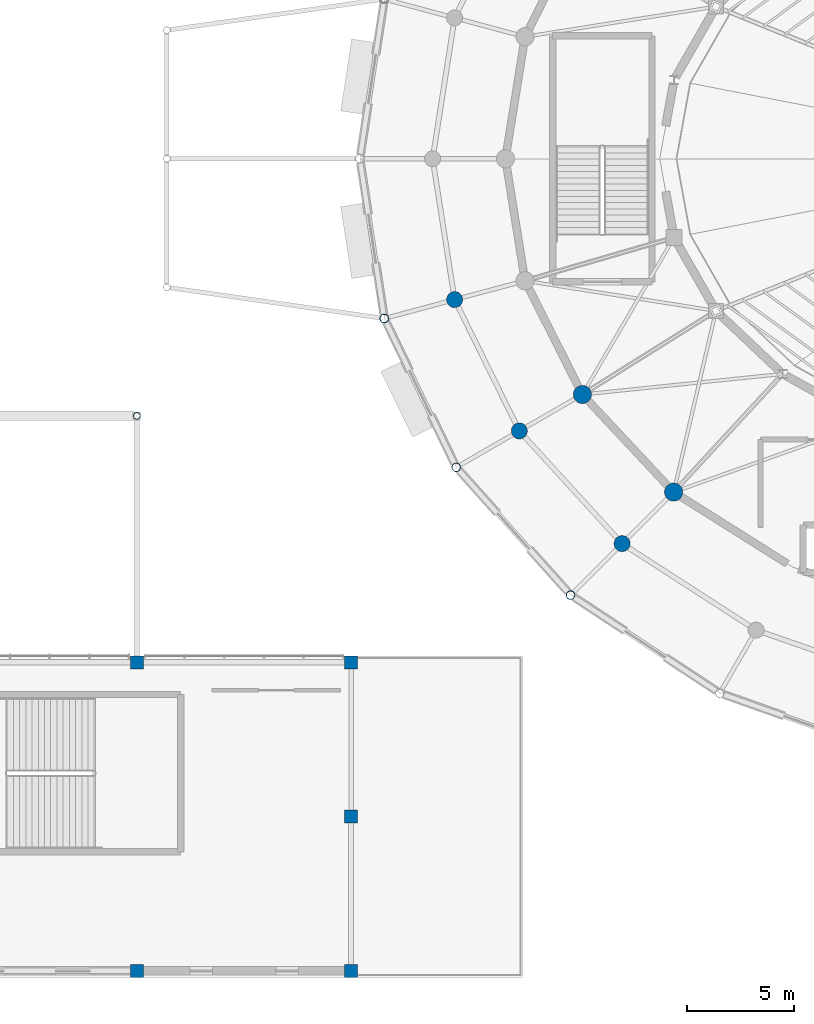
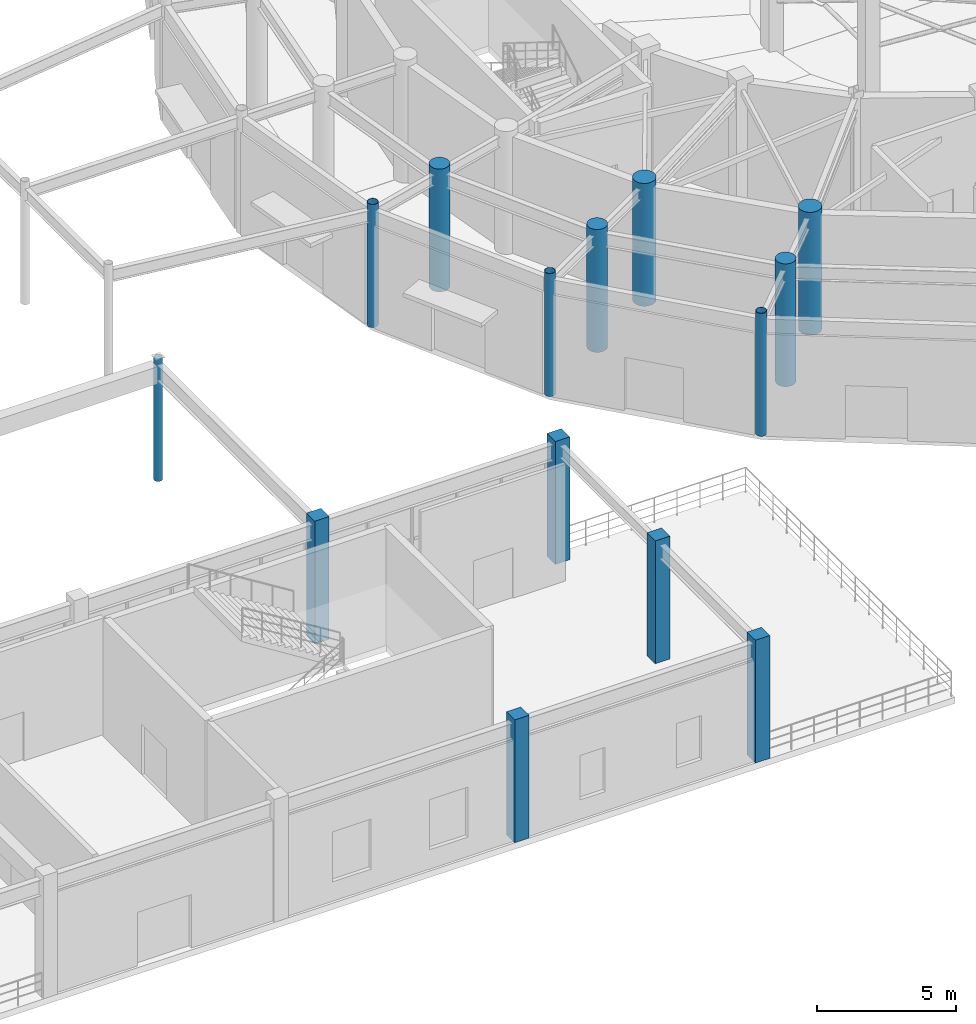
# One storey, part 5 of 93: 14 columns.
"""IFC4 building model written with IfcOpenShell, lengths in metres."""

import ifcopenshell
import ifcopenshell.guid

model = None  # the IFC model being written
_history = None  # IfcOwnerHistory: only IFC2X3 demands one
_inside = {}  # id of a spatial element -> (the spatial element, [elements in it])
_under = {}  # id of a project, library or spatial element -> (it, [spatial elements below it])
_declared = {}  # id of a project -> (the project, [libraries it declares])
_typed = {}  # id of a type object -> (the type object, [elements of that type])
_made_of = {}  # id of a material, layer set ... -> (it, [elements and type objects made of it])


def new_model(schema):
    """Start an empty IFC model of exactly this schema.

    Asked for "IFC4X3", IfcOpenShell would pick the latest addendum, in which some entities
    have other attributes; the version numbers below select the first issue.
    IFC2X3 requires an IfcOwnerHistory on every rooted entity: one is made here for all.
    """
    global model, _history
    if schema == "IFC4X3":
        model = ifcopenshell.file(schema_version=(4, 3, 0, 0))
    else:
        model = ifcopenshell.file(schema=schema)
    _inside.clear()
    _under.clear()
    _declared.clear()
    _typed.clear()
    _made_of.clear()
    _history = None
    if model.schema == "IFC2X3":
        org = make("IfcOrganization", Name="unknown")
        user = make(
            "IfcPersonAndOrganization",
            ThePerson=make("IfcPerson", FamilyName="unknown"),
            TheOrganization=org,
        )
        app = make(
            "IfcApplication",
            ApplicationDeveloper=org,
            Version="unknown",
            ApplicationFullName="unknown",
            ApplicationIdentifier="unknown",
        )
        _history = make(
            "IfcOwnerHistory",
            OwningUser=user,
            OwningApplication=app,
            ChangeAction="ADDED",
            CreationDate=0,
        )
    return model


def make(cls, **values):
    """One entity of the class cls with the attributes given. An attribute that is None is left unset."""
    return model.create_entity(
        cls, **{name: value for name, value in values.items() if value is not None}
    )


def rooted(cls, **values):
    """An entity with a GlobalId (a new one), such as an element, a storey or a relation."""
    return make(cls, GlobalId=ifcopenshell.guid.new(), OwnerHistory=_history, **values)


def si_unit(unit_type, name, prefix=None):
    """IfcSIUnit, for example si_unit("LENGTHUNIT", "METRE", prefix="MILLI")."""
    return make("IfcSIUnit", UnitType=unit_type, Prefix=prefix, Name=name)


def assignment(units):
    """IfcUnitAssignment: the units of a project."""
    return None if units is None else make("IfcUnitAssignment", Units=units)


def point(xyz):
    """IfcCartesianPoint."""
    return None if xyz is None else make("IfcCartesianPoint", Coordinates=xyz)


def direction(xyz):
    """IfcDirection."""
    return None if xyz is None else make("IfcDirection", DirectionRatios=xyz)


def frame(location, z_axis=None, x_axis=None):
    """IfcAxis2Placement3D, a coordinate frame: its origin and axes. An axis left out is left unset."""
    return make(
        "IfcAxis2Placement3D",
        Location=point(location),
        Axis=direction(z_axis),
        RefDirection=direction(x_axis),
    )


def frame_2d(location, x_axis=None):
    """IfcAxis2Placement2D, a coordinate frame in the plane: its origin and x axis."""
    return make(
        "IfcAxis2Placement2D", Location=point(location), RefDirection=direction(x_axis)
    )


def origin():
    """The frame at (0, 0, 0) with its axes left unset."""
    return frame((0.0, 0.0, 0.0))


def origin_2d():
    """The frame at (0, 0) in the plane with its x axis left unset."""
    return frame_2d((0.0, 0.0))


def place(relative_to, where):
    """IfcLocalPlacement: puts the frame where relative to a parent placement (None: the world)."""
    return make(
        "IfcLocalPlacement", PlacementRelTo=relative_to, RelativePlacement=where
    )


def context(
    kind, dimensions, precision=None, world=None, true_north=None, identifier=None
):
    """IfcGeometricRepresentationContext, for example the 3D "Model" context."""
    return make(
        "IfcGeometricRepresentationContext",
        ContextIdentifier=identifier,
        ContextType=kind,
        CoordinateSpaceDimension=dimensions,
        Precision=precision,
        WorldCoordinateSystem=world,
        TrueNorth=true_north,
    )


def subcontext(parent, identifier, kind, view, scale=None):
    """IfcGeometricRepresentationSubContext, for example "Body" below "Model"."""
    return make(
        "IfcGeometricRepresentationSubContext",
        ContextIdentifier=identifier,
        ContextType=kind,
        ParentContext=parent,
        TargetScale=scale,
        TargetView=view,
    )


def project(units=None, contexts=None):
    """IfcProject with its units and contexts."""
    return rooted(
        "IfcProject",
        Name="project",
        RepresentationContexts=contexts,
        UnitsInContext=assignment(units),
    )


def spatial(cls, under=None, at=None, **own):
    """A site, building, storey or space (cls), placed at a placement, below another one or the project."""
    s = rooted(cls, ObjectPlacement=at, **own)
    if under is not None:
        _under.setdefault(under.id(), (under, []))[1].append(s)
    return s


def profile(cls, at=None, kind="AREA", **sizes):
    """A parametric profile (cls). Its sizes go by their IFC names, for example OverallWidth=200.0."""
    return make(cls, ProfileType=kind, Position=at, **sizes)


def rectangle(**sizes):
    """IfcRectangleProfileDef."""
    return profile("IfcRectangleProfileDef", **sizes)


def circle(**sizes):
    """IfcCircleProfileDef."""
    return profile("IfcCircleProfileDef", **sizes)


def hollow_circle(**sizes):
    """IfcCircleHollowProfileDef."""
    return profile("IfcCircleHollowProfileDef", **sizes)


def extrude(swept, where, along, depth):
    """IfcExtrudedAreaSolid: the profile swept, set in the frame where, extruded along a direction by depth."""
    return make(
        "IfcExtrudedAreaSolid",
        SweptArea=swept,
        Position=where,
        ExtrudedDirection=direction(along),
        Depth=depth,
    )


def shape(context_of_items, identifier, shape_type, items):
    """IfcShapeRepresentation: the items that make up one representation, for example the "Body"."""
    return make(
        "IfcShapeRepresentation",
        ContextOfItems=context_of_items,
        RepresentationIdentifier=identifier,
        RepresentationType=shape_type,
        Items=items,
    )


def material(Name=None, Category=None):
    """IfcMaterial."""
    return make("IfcMaterial", Name=Name, Category=Category)


def material_profile(
    of_material, cross_section, Name=None, Category=None, Priority=None
):
    """IfcMaterialProfile: a cross section and its material."""
    return make(
        "IfcMaterialProfile",
        Name=Name,
        Material=of_material,
        Profile=cross_section,
        Priority=Priority,
        Category=Category,
    )


def profile_set(profiles, Name=None, composite=None):
    """IfcMaterialProfileSet."""
    return make(
        "IfcMaterialProfileSet",
        Name=Name,
        MaterialProfiles=profiles,
        CompositeProfile=composite,
    )


def made_of(thing, what):
    """Note that an element or type object is made of a material, layer set ...; save() writes the relation."""
    if what is not None:
        _made_of.setdefault(what.id(), (what, []))[1].append(thing)
    return thing


def type_object(cls, material=None, **own):
    """A type object (cls), such as IfcWallType, which elements share."""
    return made_of(rooted(cls, **own), material)


def element(
    cls,
    number,
    at=None,
    inside=None,
    cuts=None,
    type_object=None,
    material=None,
    context=None,
    identifier="Body",
    shape_type=None,
    held_by="IfcProductDefinitionShape",
    body=None,
    shapes=None,
    **own,
):
    """One element of the class cls, such as IfcWall. Its Tag is "e" and its number.

    at: its placement. inside: the storey or other place that contains it. cuts: it is an
    opening in that element (IfcRelVoidsElement). A single representation is given by context,
    identifier, shape_type and body (its items); several are given by shapes. held_by: the class
    of the entity that holds the representations. save() writes the other relations.
    """
    e = rooted(cls, Tag="e%d" % number, ObjectPlacement=at, **own)
    if body is not None:
        shapes = [shape(context, identifier, shape_type, body)]
    if shapes is not None:
        e.Representation = make(held_by, Representations=shapes)
    if inside is not None:
        _inside.setdefault(inside.id(), (inside, []))[1].append(e)
    if cuts is not None:
        rooted(
            "IfcRelVoidsElement", RelatingBuildingElement=cuts, RelatedOpeningElement=e
        )
    if type_object is not None:
        _typed.setdefault(type_object.id(), (type_object, []))[1].append(e)
    return made_of(e, material)


def aggregate(whole, parts):
    """IfcRelAggregates: a whole, such as a stair, and the parts it consists of."""
    return rooted("IfcRelAggregates", RelatingObject=whole, RelatedObjects=parts)


def save(model, path):
    """Write the relations noted so far, then the file.

    IfcRelAggregates (storeys below a building ...), IfcRelContainedInSpatialStructure (elements
    in a storey), IfcRelDefinesByType, IfcRelAssociatesMaterial and IfcRelDeclares: one each for
    every whole, place, type object, material and project.
    """
    for whole, parts in _under.values():
        aggregate(whole, parts)
    for where, things in _inside.values():
        rooted(
            "IfcRelContainedInSpatialStructure",
            RelatedElements=things,
            RelatingStructure=where,
        )
    for kind, things in _typed.values():
        rooted("IfcRelDefinesByType", RelatedObjects=things, RelatingType=kind)
    for what, things in _made_of.values():
        rooted("IfcRelAssociatesMaterial", RelatedObjects=things, RelatingMaterial=what)
    for by, libraries in _declared.values():
        rooted("IfcRelDeclares", RelatingContext=by, RelatedDefinitions=libraries)
    model.write(path)


model = new_model("IFC4")

# Units and contexts
model_context = context("Model", 3, precision=1e-05, world=origin(), true_north=direction((0.0, 1.0)))
body_context = subcontext(model_context, "Body", "Model", "MODEL_VIEW")
ifc_project = project(units=[si_unit("LENGTHUNIT", "METRE"), si_unit("AREAUNIT", "SQUARE_METRE"), si_unit("VOLUMEUNIT", "CUBIC_METRE"), si_unit("PLANEANGLEUNIT", "RADIAN"), si_unit("MASSUNIT", "GRAM", prefix="KILO")], contexts=[model_context])

# Site, building, storey
site_placement = place(None, origin())
site = spatial("IfcSite", under=ifc_project, at=site_placement, CompositionType="ELEMENT")
building_placement = place(site_placement, origin())
building = spatial("IfcBuilding", under=site, at=building_placement, Name="Cinderbank Siding Concert Hall", CompositionType="ELEMENT")
storey_placement = place(building_placement, origin())
storey = spatial("IfcBuildingStorey", under=building, at=storey_placement, Name="L01", CompositionType="ELEMENT", Elevation=0.0)

# Columns
ifc_material_1 = material(Name="Structural steel hollow section AS/NZS 1163 Grade C350L0 (350 MPa)", Category="steel")
ifc_material_profile_1 = material_profile(ifc_material_1, hollow_circle(Radius=0.161865234375, WallThickness=0.0126953125, at=origin_2d()), Name="323.9x12.7CHS", Category="LoadBearing")
ifc_profile_set_1 = profile_set([ifc_material_profile_1], Name="Structural steel hollow section AS/NZS 1163 Grade C350L0 (350 MPa)")
column_type_1 = type_object("IfcColumnType", Name="C-CHS323 323.9x12.7CHS", PredefinedType="COLUMN", material=ifc_profile_set_1)
column_placement = place(storey_placement, frame((78.0, 32.0, 0.0), z_axis=(0.0, 0.0, 1.0), x_axis=(1.0, 0.0, 0.0)))
element("IfcColumn", 1, at=column_placement, inside=storey, type_object=column_type_1, Name="L01 Column COL-PAD-03", PredefinedType="COLUMN", context=body_context, shape_type="SweptSolid", body=[
    extrude(hollow_circle(Radius=0.161865234375, WallThickness=0.0126953125, at=origin_2d()), origin(), (0.0, 0.0, 1.0), 5.3798828125),
])
ifc_material_profile_2 = material_profile(ifc_material_1, hollow_circle(Radius=0.203125, WallThickness=0.01611328125, at=origin_2d()), Name="406.4x16.0CHS", Category="LoadBearing")
ifc_profile_set_2 = profile_set([ifc_material_profile_2], Name="Structural steel hollow section AS/NZS 1163 Grade C350L0 (350 MPa)")
column_type_2 = type_object("IfcColumnType", Name="C-CHS406 406.4x16.0CHS", PredefinedType="COLUMN", material=ifc_profile_set_2)
for number, where, z_axis, x_axis, name in (
    (2, (89.544921875, 36.5458984375, 0.0), (0.0, 0.0, 1.0), (1.0, 0.0, 0.0), "L01 Column COL-E4-14"),
    (3, (92.90087890625, 29.60009765625, 0.0), (0.0, 0.0, 1.0), (1.0, 0.0, 0.0), "L01 Column COL-E4-15"),
    (4, (98.240966796875, 23.635009765625, 0.0), (0.0, 0.0, 1.0), (1.0, 0.0, 0.0), "L01 Column COL-E4-16"),
):
    element("IfcColumn", number, at=place(storey_placement, frame(where, z_axis=z_axis, x_axis=x_axis)), inside=storey, type_object=column_type_2, Name=name, PredefinedType="COLUMN", context=body_context, shape_type="SweptSolid", body=[
        extrude(hollow_circle(Radius=0.203125, WallThickness=0.01611328125, at=origin_2d()), origin(), (0.0, 0.0, 1.0), 5.39990234375),
    ])
ifc_material_2 = material(Name="Reinforced concrete AS 3600 N50 (50 MPa)", Category="concrete")
ifc_material_profile_3 = material_profile(ifc_material_2, rectangle(XDim=0.60009765625, YDim=0.60009765625, at=origin_2d()), Name="RC-COL-600x600", Category="LoadBearing")
ifc_profile_set_3 = profile_set([ifc_material_profile_3], Name="Reinforced concrete AS 3600 N50 (50 MPa)")
column_type_3 = type_object("IfcColumnType", Name="C-RC600 RC-COL-600x600", PredefinedType="COLUMN", material=ifc_profile_set_3)
for number, where, z_axis, x_axis, name in (
    (5, (78.0, 6.10009765625, 0.0), (0.0, 0.0, 1.0), (1.0, 0.0, 0.0), "L01 Column COL-SL-3-1"),
    (6, (78.0, 20.5, 0.0), (0.0, 0.0, 1.0), (1.0, 0.0, 0.0), "L01 Column COL-SL-3-3"),
    (7, (88.0, 6.10009765625, 0.0), (0.0, 0.0, 1.0), (1.0, 0.0, 0.0), "L01 Column COL-SL-4-1"),
    (8, (88.0, 13.300048828125, 0.0), (0.0, 0.0, 1.0), (1.0, 0.0, 0.0), "L01 Column COL-SL-4-2"),
    (9, (88.0, 20.5, 0.0), (0.0, 0.0, 1.0), (1.0, 0.0, 0.0), "L01 Column COL-SL-4-3"),
):
    element("IfcColumn", number, at=place(storey_placement, frame(where, z_axis=z_axis, x_axis=x_axis)), inside=storey, type_object=column_type_3, Name=name, PredefinedType="COLUMN", context=body_context, shape_type="SweptSolid", body=[
        extrude(rectangle(XDim=0.60009765625, YDim=0.60009765625, at=origin_2d()), origin(), (0.0, 0.0, 1.0), 5.39990234375),
    ])
ifc_material_profile_4 = material_profile(ifc_material_2, circle(Radius=0.375, at=origin_2d()), Name="RC-COL-750DIA", Category="LoadBearing")
ifc_profile_set_4 = profile_set([ifc_material_profile_4], Name="Reinforced concrete AS 3600 N50 (50 MPa)")
column_type_4 = type_object("IfcColumnType", Name="C-RCD750 RC-COL-750DIA", PredefinedType="COLUMN", material=ifc_profile_set_4)
for number, where, z_axis, x_axis, name in (
    (10, (92.8291015625, 37.426025390625, 0.0), (0.0, 0.0, 1.0), (1.0, 0.0, 0.0), "L01 Column COL-E3-14"),
    (11, (95.845947265625, 31.300048828125, 0.0), (0.0, 0.0, 1.0), (1.0, 0.0, 0.0), "L01 Column COL-E3-15"),
    (12, (100.64501953125, 26.0400390625, 0.0), (0.0, 0.0, 1.0), (1.0, 0.0, 0.0), "L01 Column COL-E3-16"),
):
    element("IfcColumn", number, at=place(storey_placement, frame(where, z_axis=z_axis, x_axis=x_axis)), inside=storey, type_object=column_type_4, Name=name, PredefinedType="COLUMN", context=body_context, shape_type="SweptSolid", body=[
        extrude(circle(Radius=0.375, at=origin_2d()), origin(), (0.0, 0.0, 1.0), 5.39990234375),
    ])
ifc_material_profile_5 = material_profile(ifc_material_2, circle(Radius=0.425048828125, at=origin_2d()), Name="RC-COL-850DIA", Category="LoadBearing")
ifc_profile_set_5 = profile_set([ifc_material_profile_5], Name="Reinforced concrete AS 3600 N50 (50 MPa)")
column_type_5 = type_object("IfcColumnType", Name="C-RCD850 RC-COL-850DIA", PredefinedType="COLUMN", material=ifc_profile_set_5)
for number, where, z_axis, x_axis, name in (
    (13, (98.7900390625, 33.0, 0.0), (0.0, 0.0, 1.0), (1.0, 0.0, 0.0), "L01 Column COL-E2-15"),
    (14, (103.049072265625, 28.444091796875, 0.0), (0.0, 0.0, 1.0), (1.0, 0.0, 0.0), "L01 Column COL-E2-16"),
):
    element("IfcColumn", number, at=place(storey_placement, frame(where, z_axis=z_axis, x_axis=x_axis)), inside=storey, type_object=column_type_5, Name=name, PredefinedType="COLUMN", context=body_context, shape_type="SweptSolid", body=[
        extrude(circle(Radius=0.425048828125, at=origin_2d()), origin(), (0.0, 0.0, 1.0), 5.39990234375),
    ])

save(model, "model.ifc")
